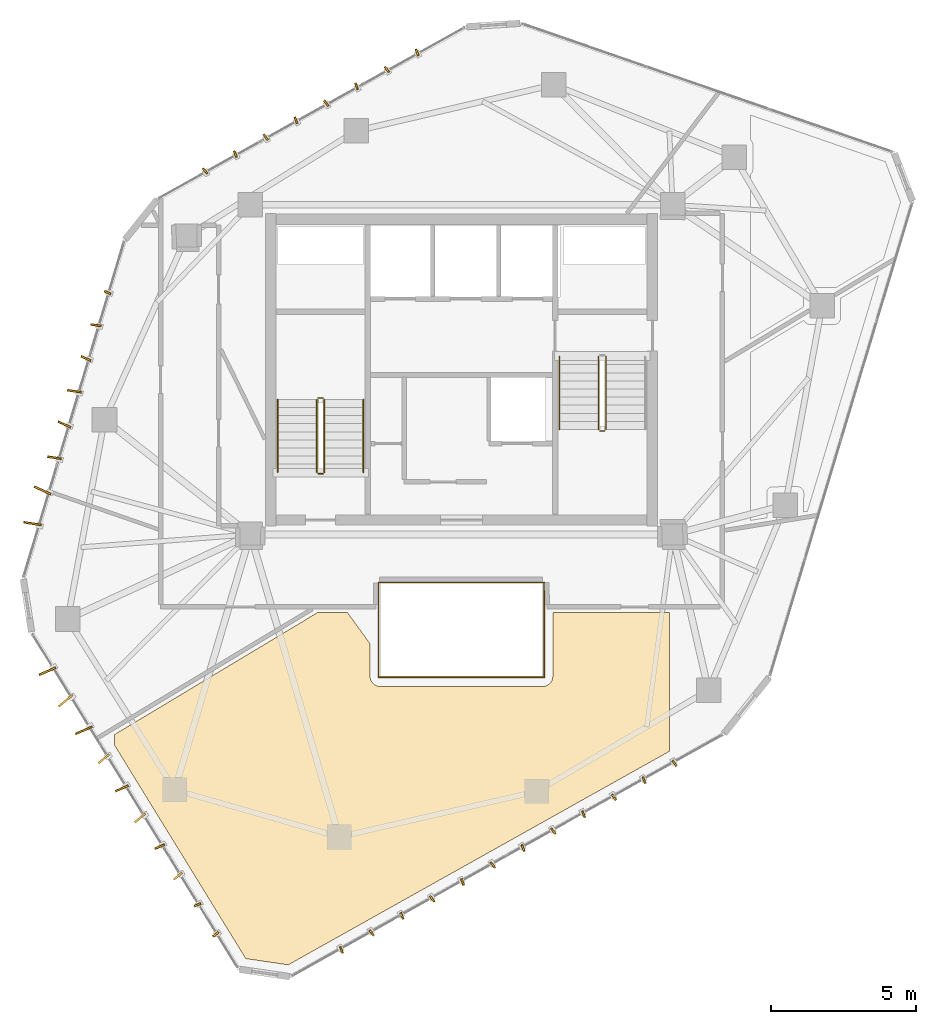
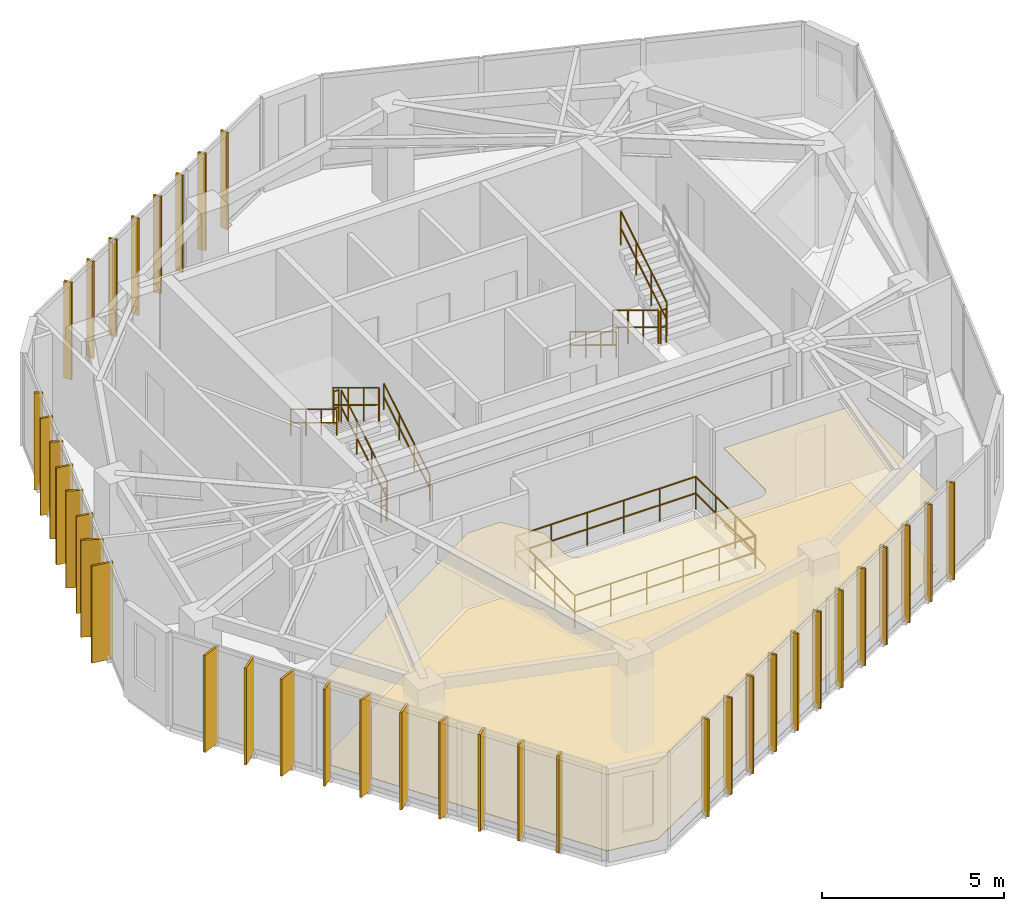
# One storey, part 19 of 20: 38 shading devices, 14 railings, 2 coverings.
"""IFC4 building model written with IfcOpenShell, lengths in metres."""

from ifc_helpers import new_model, si_unit, direction, frame, origin, origin_2d, place, context, subcontext, project, spatial, polyline, rectangle, circle, outline, extrude, source, transform, mapped, material, layer, layer_set, type_object, type_shapes, element, save


model = new_model("IFC4")

# Units and contexts
model_context = context("Model", 3, precision=1e-05, world=origin(), true_north=direction((0.0, 1.0)))
body_context = subcontext(model_context, "Body", "Model", "MODEL_VIEW")
ifc_project = project(units=[si_unit("LENGTHUNIT", "METRE"), si_unit("AREAUNIT", "SQUARE_METRE"), si_unit("VOLUMEUNIT", "CUBIC_METRE"), si_unit("PLANEANGLEUNIT", "RADIAN"), si_unit("MASSUNIT", "GRAM", prefix="KILO")], contexts=[model_context])

# Site, building, storey
site_placement = place(None, origin())
site = spatial("IfcSite", under=ifc_project, at=site_placement, CompositionType="ELEMENT")
building_placement = place(site_placement, origin())
building = spatial("IfcBuilding", under=site, at=building_placement, Name="Talar Marvaseh", CompositionType="ELEMENT")
storey_placement = place(building_placement, frame((0.0, 0.0, 257.800048828125)))
storey = spatial("IfcBuildingStorey", under=building, at=storey_placement, Name="L68", CompositionType="ELEMENT", Elevation=257.800048828125)

# Railings
ifc_material_1 = material(Name="Stainless Steel Grade 316", Category="steel")
railing_type_1 = type_object("IfcRailingType", Name="Brushed Stainless Wall Pitch Handrail 900", PredefinedType="HANDRAIL", material=ifc_material_1)
railing_1_placement = place(storey_placement, frame((22.610107421875, 27.64990234375, 0.169921875)))
element("IfcRailing", 1, at=railing_1_placement, inside=storey, type_object=railing_type_1, Name="L68 ST-1 stair handrail 1", PredefinedType="HANDRAIL", context=body_context, shape_type="SweptSolid", body=[
    extrude(circle(Radius=0.02392578125, at=origin_2d()), frame((0.0, 0.0, 0.8759765625), z_axis=(0.0, 0.85478489116, 0.518982456201), x_axis=(-1.0, 0.0, 0.0)), (0.0, 0.0, 1.0), 2.9482421875),
    extrude(circle(Radius=0.02392578125, at=origin_2d()), frame((0.0, 0.0, 0.42578125), z_axis=(0.0, 0.85478489116, 0.518982456201), x_axis=(-1.0, 0.0, 0.0)), (0.0, 0.0, 1.0), 2.9482421875),
    extrude(circle(Radius=0.02099609375, at=origin_2d()), origin(), (0.0, 0.0, 1.0), 0.851806640625),
    extrude(circle(Radius=0.02099609375, at=origin_2d()), frame((0.0, 0.840087890625, 0.510009765625)), (0.0, 0.0, 1.0), 0.851806640625),
    extrude(circle(Radius=0.02099609375, at=origin_2d()), frame((0.0, 1.679931640625, 1.02001953125)), (0.0, 0.0, 1.0), 0.851806640625),
    extrude(circle(Radius=0.02099609375, at=origin_2d()), frame((0.0, 2.52001953125, 1.530029296875)), (0.0, 0.0, 1.0), 0.851806640625),
])
for number, where, name in (
    (2, (19.64990234375, 30.169921875, 1.869873046875), "L68 ST-1 stair handrail 2"),
    (3, (29.389892578125, 31.64990234375, 0.169921875), "L68 ST-2 stair handrail 1"),
):
    element("IfcRailing", number, at=place(storey_placement, frame(where)), inside=storey, type_object=railing_type_1, Name=name, PredefinedType="HANDRAIL", context=body_context, shape_type="SweptSolid", body=[
        extrude(circle(Radius=0.02392578125, at=origin_2d()), frame((0.0, 0.0, 0.8759765625), z_axis=(0.0, -0.85478489116, 0.518982456201), x_axis=(1.0, 0.0, 0.0)), (0.0, 0.0, 1.0), 2.9482421875),
        extrude(circle(Radius=0.02392578125, at=origin_2d()), frame((0.0, 0.0, 0.42578125), z_axis=(0.0, -0.85478489116, 0.518982456201), x_axis=(1.0, 0.0, 0.0)), (0.0, 0.0, 1.0), 2.9482421875),
        extrude(circle(Radius=0.02099609375, at=origin_2d()), origin(), (0.0, 0.0, 1.0), 0.851806640625),
        extrude(circle(Radius=0.02099609375, at=origin_2d()), frame((0.0, -0.840087890625, 0.510009765625)), (0.0, 0.0, 1.0), 0.851806640625),
        extrude(circle(Radius=0.02099609375, at=origin_2d()), frame((0.0, -1.679931640625, 1.02001953125)), (0.0, 0.0, 1.0), 0.851806640625),
        extrude(circle(Radius=0.02099609375, at=origin_2d()), frame((0.0, -2.52001953125, 1.530029296875)), (0.0, 0.0, 1.0), 0.851806640625),
    ])
ifc_material_2 = material(Name="Tempered Clear Glass", Category="glass")
railing_type_2 = type_object("IfcRailingType", Name="Interior Atrium Edge Balustrade 1120", PredefinedType="BALUSTRADE", material=ifc_material_2)
railing_2_placement = place(storey_placement, frame((23.130615234375, 20.560302734375, 0.0)))
element("IfcRailing", 4, at=railing_2_placement, inside=storey, type_object=railing_type_2, Name="L68 Internal Daylight Atrium Balustrade 1", PredefinedType="BALUSTRADE", context=body_context, shape_type="SweptSolid", body=[
    extrude(circle(Radius=0.02392578125, at=origin_2d()), frame((0.0, 0.0, 1.09619140625), z_axis=(1.0, 0.0, 0.0), x_axis=(0.0, 1.0, 0.0)), (0.0, 0.0, 1.0), 5.73876953125),
    extrude(circle(Radius=0.02392578125, at=origin_2d()), frame((0.0, 0.0, 0.5361328125), z_axis=(1.0, 0.0, 0.0), x_axis=(0.0, 1.0, 0.0)), (0.0, 0.0, 1.0), 5.73876953125),
    extrude(circle(Radius=0.02099609375, at=origin_2d()), origin(), (0.0, 0.0, 1.0), 1.072021484375),
    extrude(circle(Radius=0.02099609375, at=origin_2d()), frame((1.147705078125, 0.0, 0.0)), (0.0, 0.0, 1.0), 1.072021484375),
    extrude(circle(Radius=0.02099609375, at=origin_2d()), frame((2.29541015625, 0.0, 0.0)), (0.0, 0.0, 1.0), 1.072021484375),
    extrude(circle(Radius=0.02099609375, at=origin_2d()), frame((3.443359375, 0.0, 0.0)), (0.0, 0.0, 1.0), 1.072021484375),
    extrude(circle(Radius=0.02099609375, at=origin_2d()), frame((4.591064453125, 0.0, 0.0)), (0.0, 0.0, 1.0), 1.072021484375),
    extrude(circle(Radius=0.02099609375, at=origin_2d()), frame((5.73876953125, 0.0, 0.0)), (0.0, 0.0, 1.0), 1.072021484375),
])
railing_3_placement = place(storey_placement, frame((28.869384765625, 20.560302734375, 0.0)))
element("IfcRailing", 5, at=railing_3_placement, inside=storey, type_object=railing_type_2, Name="L68 Internal Daylight Atrium Balustrade 2", PredefinedType="BALUSTRADE", context=body_context, shape_type="SweptSolid", body=[
    extrude(circle(Radius=0.02392578125, at=origin_2d()), frame((0.0, 0.0, 1.09619140625), z_axis=(0.0, 1.0, 0.0), x_axis=(-1.0, 0.0, 0.0)), (0.0, 0.0, 1.0), 3.279296875),
    extrude(circle(Radius=0.02392578125, at=origin_2d()), frame((0.0, 0.0, 0.5361328125), z_axis=(0.0, 1.0, 0.0), x_axis=(-1.0, 0.0, 0.0)), (0.0, 0.0, 1.0), 3.279296875),
    extrude(circle(Radius=0.02099609375, at=origin_2d()), origin(), (0.0, 0.0, 1.0), 1.072021484375),
    extrude(circle(Radius=0.02099609375, at=origin_2d()), frame((0.0, 1.093017578125, 0.0)), (0.0, 0.0, 1.0), 1.072021484375),
    extrude(circle(Radius=0.02099609375, at=origin_2d()), frame((0.0, 2.186279296875, 0.0)), (0.0, 0.0, 1.0), 1.072021484375),
    extrude(circle(Radius=0.02099609375, at=origin_2d()), frame((0.0, 3.279296875, 0.0)), (0.0, 0.0, 1.0), 1.072021484375),
])
railing_4_placement = place(storey_placement, frame((28.869384765625, 23.839599609375, 0.0)))
element("IfcRailing", 6, at=railing_4_placement, inside=storey, type_object=railing_type_2, Name="L68 Internal Daylight Atrium Balustrade 3", PredefinedType="BALUSTRADE", context=body_context, shape_type="SweptSolid", body=[
    extrude(circle(Radius=0.02392578125, at=origin_2d()), frame((0.0, 0.0, 1.09619140625), z_axis=(-1.0, 0.0, 0.0), x_axis=(0.0, -1.0, 0.0)), (0.0, 0.0, 1.0), 5.73876953125),
    extrude(circle(Radius=0.02392578125, at=origin_2d()), frame((0.0, 0.0, 0.5361328125), z_axis=(-1.0, 0.0, 0.0), x_axis=(0.0, -1.0, 0.0)), (0.0, 0.0, 1.0), 5.73876953125),
    extrude(circle(Radius=0.02099609375, at=origin_2d()), origin(), (0.0, 0.0, 1.0), 1.072021484375),
    extrude(circle(Radius=0.02099609375, at=origin_2d()), frame((-1.147705078125, 0.0, 0.0)), (0.0, 0.0, 1.0), 1.072021484375),
    extrude(circle(Radius=0.02099609375, at=origin_2d()), frame((-2.29541015625, 0.0, 0.0)), (0.0, 0.0, 1.0), 1.072021484375),
    extrude(circle(Radius=0.02099609375, at=origin_2d()), frame((-3.443359375, 0.0, 0.0)), (0.0, 0.0, 1.0), 1.072021484375),
    extrude(circle(Radius=0.02099609375, at=origin_2d()), frame((-4.591064453125, 0.0, 0.0)), (0.0, 0.0, 1.0), 1.072021484375),
    extrude(circle(Radius=0.02099609375, at=origin_2d()), frame((-5.73876953125, 0.0, 0.0)), (0.0, 0.0, 1.0), 1.072021484375),
])
railing_5_placement = place(storey_placement, frame((23.130615234375, 23.839599609375, 0.0)))
element("IfcRailing", 7, at=railing_5_placement, inside=storey, type_object=railing_type_2, Name="L68 Internal Daylight Atrium Balustrade 4", PredefinedType="BALUSTRADE", context=body_context, shape_type="SweptSolid", body=[
    extrude(circle(Radius=0.02392578125, at=origin_2d()), frame((0.0, 0.0, 1.09619140625), z_axis=(0.0, -1.0, 0.0), x_axis=(1.0, 0.0, 0.0)), (0.0, 0.0, 1.0), 3.279296875),
    extrude(circle(Radius=0.02392578125, at=origin_2d()), frame((0.0, 0.0, 0.5361328125), z_axis=(0.0, -1.0, 0.0), x_axis=(1.0, 0.0, 0.0)), (0.0, 0.0, 1.0), 3.279296875),
    extrude(circle(Radius=0.02099609375, at=origin_2d()), origin(), (0.0, 0.0, 1.0), 1.072021484375),
    extrude(circle(Radius=0.02099609375, at=origin_2d()), frame((0.0, -1.093017578125, 0.0)), (0.0, 0.0, 1.0), 1.072021484375),
    extrude(circle(Radius=0.02099609375, at=origin_2d()), frame((0.0, -2.186279296875, 0.0)), (0.0, 0.0, 1.0), 1.072021484375),
    extrude(circle(Radius=0.02099609375, at=origin_2d()), frame((0.0, -3.279296875, 0.0)), (0.0, 0.0, 1.0), 1.072021484375),
])
railing_type_3 = type_object("IfcRailingType", Name="Painted Steel Core Stair Well Guardrail 1150", PredefinedType="GUARDRAIL", material=ifc_material_1)
railing_6_placement = place(storey_placement, frame((21.260009765625, 27.64990234375, 0.169921875)))
element("IfcRailing", 8, at=railing_6_placement, inside=storey, type_object=railing_type_3, Name="L68 ST-1 stair guard 1", PredefinedType="GUARDRAIL", context=body_context, shape_type="SweptSolid", body=[
    extrude(circle(Radius=0.02392578125, at=origin_2d()), frame((0.0, 0.0, 1.1259765625), z_axis=(0.0, 0.85478489116, 0.518982456201), x_axis=(-1.0, 0.0, 0.0)), (0.0, 0.0, 1.0), 2.9482421875),
    extrude(circle(Radius=0.02392578125, at=origin_2d()), frame((0.0, 0.0, 0.55078125), z_axis=(0.0, 0.85478489116, 0.518982456201), x_axis=(-1.0, 0.0, 0.0)), (0.0, 0.0, 1.0), 2.9482421875),
    extrude(circle(Radius=0.02099609375, at=origin_2d()), origin(), (0.0, 0.0, 1.0), 1.101806640625),
    extrude(circle(Radius=0.02099609375, at=origin_2d()), frame((0.0, 0.840087890625, 0.510009765625)), (0.0, 0.0, 1.0), 1.101806640625),
    extrude(circle(Radius=0.02099609375, at=origin_2d()), frame((0.0, 1.679931640625, 1.02001953125)), (0.0, 0.0, 1.0), 1.101806640625),
    extrude(circle(Radius=0.02099609375, at=origin_2d()), frame((0.0, 2.52001953125, 1.530029296875)), (0.0, 0.0, 1.0), 1.101806640625),
])
railing_7_placement = place(storey_placement, frame((21.2099609375, 30.219970703125, 1.699951171875)))
element("IfcRailing", 9, at=railing_7_placement, inside=storey, type_object=railing_type_3, Name="L68 ST-1 stair guard 2", PredefinedType="GUARDRAIL", context=body_context, shape_type="SweptSolid", body=[
    extrude(circle(Radius=0.02392578125, at=origin_2d()), frame((0.0, 0.0, 1.1259765625), z_axis=(-1.0, 0.0, 0.0), x_axis=(0.0, -1.0, 0.0)), (0.0, 0.0, 1.0), 0.159912109375),
    extrude(circle(Radius=0.02392578125, at=origin_2d()), frame((0.0, 0.0, 0.55078125), z_axis=(-1.0, 0.0, 0.0), x_axis=(0.0, -1.0, 0.0)), (0.0, 0.0, 1.0), 0.159912109375),
    extrude(circle(Radius=0.02099609375, at=origin_2d()), origin(), (0.0, 0.0, 1.0), 1.101806640625),
    extrude(circle(Radius=0.02099609375, at=origin_2d()), frame((-0.159912109375, 0.0, 0.0)), (0.0, 0.0, 1.0), 1.101806640625),
])
railing_8_placement = place(storey_placement, frame((21.0, 30.169921875, 1.869873046875)))
element("IfcRailing", 10, at=railing_8_placement, inside=storey, type_object=railing_type_3, Name="L68 ST-1 stair guard 3", PredefinedType="GUARDRAIL", context=body_context, shape_type="SweptSolid", body=[
    extrude(circle(Radius=0.02392578125, at=origin_2d()), frame((0.0, 0.0, 1.1259765625), z_axis=(0.0, -0.85478489116, 0.518982456201), x_axis=(1.0, 0.0, 0.0)), (0.0, 0.0, 1.0), 2.9482421875),
    extrude(circle(Radius=0.02392578125, at=origin_2d()), frame((0.0, 0.0, 0.55078125), z_axis=(0.0, -0.85478489116, 0.518982456201), x_axis=(1.0, 0.0, 0.0)), (0.0, 0.0, 1.0), 2.9482421875),
    extrude(circle(Radius=0.02099609375, at=origin_2d()), origin(), (0.0, 0.0, 1.0), 1.101806640625),
    extrude(circle(Radius=0.02099609375, at=origin_2d()), frame((0.0, -0.840087890625, 0.510009765625)), (0.0, 0.0, 1.0), 1.101806640625),
    extrude(circle(Radius=0.02099609375, at=origin_2d()), frame((0.0, -1.679931640625, 1.02001953125)), (0.0, 0.0, 1.0), 1.101806640625),
    extrude(circle(Radius=0.02099609375, at=origin_2d()), frame((0.0, -2.52001953125, 1.530029296875)), (0.0, 0.0, 1.0), 1.101806640625),
])
railing_9_placement = place(storey_placement, frame((21.2099609375, 27.60009765625, 0.0)))
element("IfcRailing", 11, at=railing_9_placement, inside=storey, type_object=railing_type_3, Name="L68 ST-1 stair guard 4", PredefinedType="GUARDRAIL", context=body_context, shape_type="SweptSolid", body=[
    extrude(circle(Radius=0.02392578125, at=origin_2d()), frame((0.0, 0.0, 1.1259765625), z_axis=(-1.0, 0.0, 0.0), x_axis=(0.0, -1.0, 0.0)), (0.0, 0.0, 1.0), 0.159912109375),
    extrude(circle(Radius=0.02392578125, at=origin_2d()), frame((0.0, 0.0, 0.55078125), z_axis=(-1.0, 0.0, 0.0), x_axis=(0.0, -1.0, 0.0)), (0.0, 0.0, 1.0), 0.159912109375),
    extrude(circle(Radius=0.02099609375, at=origin_2d()), origin(), (0.0, 0.0, 1.0), 1.101806640625),
    extrude(circle(Radius=0.02099609375, at=origin_2d()), frame((-0.159912109375, 0.0, 0.0)), (0.0, 0.0, 1.0), 1.101806640625),
])
railing_10_placement = place(storey_placement, frame((30.739990234375, 31.64990234375, 0.169921875)))
element("IfcRailing", 12, at=railing_10_placement, inside=storey, type_object=railing_type_3, Name="L68 ST-2 stair guard 1", PredefinedType="GUARDRAIL", context=body_context, shape_type="SweptSolid", body=[
    extrude(circle(Radius=0.02392578125, at=origin_2d()), frame((0.0, 0.0, 1.1259765625), z_axis=(0.0, -0.85478489116, 0.518982456201), x_axis=(1.0, 0.0, 0.0)), (0.0, 0.0, 1.0), 2.9482421875),
    extrude(circle(Radius=0.02392578125, at=origin_2d()), frame((0.0, 0.0, 0.55078125), z_axis=(0.0, -0.85478489116, 0.518982456201), x_axis=(1.0, 0.0, 0.0)), (0.0, 0.0, 1.0), 2.9482421875),
    extrude(circle(Radius=0.02099609375, at=origin_2d()), origin(), (0.0, 0.0, 1.0), 1.101806640625),
    extrude(circle(Radius=0.02099609375, at=origin_2d()), frame((0.0, -0.840087890625, 0.510009765625)), (0.0, 0.0, 1.0), 1.101806640625),
    extrude(circle(Radius=0.02099609375, at=origin_2d()), frame((0.0, -1.679931640625, 1.02001953125)), (0.0, 0.0, 1.0), 1.101806640625),
    extrude(circle(Radius=0.02099609375, at=origin_2d()), frame((0.0, -2.52001953125, 1.530029296875)), (0.0, 0.0, 1.0), 1.101806640625),
])
railing_11_placement = place(storey_placement, frame((30.7900390625, 29.080078125, 1.699951171875)))
element("IfcRailing", 13, at=railing_11_placement, inside=storey, type_object=railing_type_3, Name="L68 ST-2 stair guard 2", PredefinedType="GUARDRAIL", context=body_context, shape_type="SweptSolid", body=[
    extrude(circle(Radius=0.02392578125, at=origin_2d()), frame((0.0, 0.0, 1.1259765625), z_axis=(1.0, 0.0, 0.0), x_axis=(0.0, 1.0, 0.0)), (0.0, 0.0, 1.0), 0.159912109375),
    extrude(circle(Radius=0.02392578125, at=origin_2d()), frame((0.0, 0.0, 0.55078125), z_axis=(1.0, 0.0, 0.0), x_axis=(0.0, 1.0, 0.0)), (0.0, 0.0, 1.0), 0.159912109375),
    extrude(circle(Radius=0.02099609375, at=origin_2d()), origin(), (0.0, 0.0, 1.0), 1.101806640625),
    extrude(circle(Radius=0.02099609375, at=origin_2d()), frame((0.159912109375, 0.0, 0.0)), (0.0, 0.0, 1.0), 1.101806640625),
])
railing_12_placement = place(storey_placement, frame((31.0, 29.1298828125, 1.869873046875)))
element("IfcRailing", 14, at=railing_12_placement, inside=storey, type_object=railing_type_3, Name="L68 ST-2 stair guard 3", PredefinedType="GUARDRAIL", context=body_context, shape_type="SweptSolid", body=[
    extrude(circle(Radius=0.02392578125, at=origin_2d()), frame((0.0, 0.0, 1.1259765625), z_axis=(0.0, 0.85478489116, 0.518982456201), x_axis=(-1.0, 0.0, 0.0)), (0.0, 0.0, 1.0), 2.9482421875),
    extrude(circle(Radius=0.02392578125, at=origin_2d()), frame((0.0, 0.0, 0.55078125), z_axis=(0.0, 0.85478489116, 0.518982456201), x_axis=(-1.0, 0.0, 0.0)), (0.0, 0.0, 1.0), 2.9482421875),
    extrude(circle(Radius=0.02099609375, at=origin_2d()), origin(), (0.0, 0.0, 1.0), 1.101806640625),
    extrude(circle(Radius=0.02099609375, at=origin_2d()), frame((0.0, 0.840087890625, 0.510009765625)), (0.0, 0.0, 1.0), 1.101806640625),
    extrude(circle(Radius=0.02099609375, at=origin_2d()), frame((0.0, 1.679931640625, 1.02001953125)), (0.0, 0.0, 1.0), 1.101806640625),
    extrude(circle(Radius=0.02099609375, at=origin_2d()), frame((0.0, 2.52001953125, 1.530029296875)), (0.0, 0.0, 1.0), 1.101806640625),
])

# Coverings
ifc_material_3 = material(Name="Mineral Fibre Acoustic Ceiling")
ifc_layer_1 = layer(ifc_material_3, 0.02490234375)
ifc_layer_set_1 = layer_set([ifc_layer_1], Name="Mineral Fibre Acoustic Ceiling")
covering_type_1 = type_object("IfcCoveringType", Name="Perforated Mineral Fibre Acoustic Suspended Ceiling", PredefinedType="CEILING", material=ifc_layer_set_1)
covering_1_placement = place(storey_placement, frame((0.0, 0.0, 2.56005859375)))
element("IfcCovering", 15, at=covering_1_placement, inside=storey, type_object=covering_type_1, Name="L68 Rare Books Archive Room Acoustic Ceiling", PredefinedType="CEILING", context=body_context, shape_type="SweptSolid", body=[
    extrude(outline(polyline([(22.840087890625, 21.721435546875), (22.840087890625, 20.60009765625), (22.840576171875, 20.585205078125), (22.84228515625, 20.570556640625), (22.84912109375, 20.524169921875), (22.852783203125, 20.5048828125), (22.858642578125, 20.486083984375), (22.8662109375, 20.468017578125), (22.88623046875, 20.425537109375), (22.8955078125, 20.408203125), (22.906494140625, 20.39208984375), (22.918701171875, 20.376708984375), (22.9326171875, 20.36279296875), (22.990234375, 20.310791015625), (23.00390625, 20.29931640625), (23.018310546875, 20.289306640625), (23.03369140625, 20.28076171875), (23.0498046875, 20.2734375), (23.066650390625, 20.267578125), (23.126220703125, 20.24951171875), (23.145263671875, 20.24462890625), (23.164794921875, 20.24169921875), (23.184326171875, 20.24072265625), (28.815673828125, 20.24072265625), (28.83203125, 20.241455078125), (28.848388671875, 20.243408203125), (28.8642578125, 20.246826171875), (28.909912109375, 20.25830078125), (28.92626953125, 20.26318359375), (28.9423828125, 20.269287109375), (28.957763671875, 20.277099609375), (28.972412109375, 20.285888671875), (29.0244140625, 20.320556640625), (29.04248046875, 20.33447265625), (29.05908203125, 20.35009765625), (29.07373046875, 20.36767578125), (29.101806640625, 20.405517578125), (29.112548828125, 20.421630859375), (29.121826171875, 20.439208984375), (29.12939453125, 20.457275390625), (29.145263671875, 20.50146484375), (29.151611328125, 20.523193359375), (29.155517578125, 20.5458984375), (29.156982421875, 20.568603515625), (29.15966796875, 22.800048828125), (33.199951171875, 22.800048828125), (33.199951171875, 18.00830078125), (20.01025390625, 10.619140625), (18.54248046875, 10.833984375), (14.0, 18.21875), (14.0, 18.580078125), (21.0234375, 22.800048828125), (22.0595703125, 22.800048828125), (22.840087890625, 21.721435546875)])), origin(), (0.0, 0.0, 1.0), 0.02490234375),
])
ifc_material_4 = material(Name="Porcelain Stoneware Tile", Category="masonry")
ifc_layer_2 = layer(ifc_material_4, 0.02001953125)
ifc_layer_set_2 = layer_set([ifc_layer_2], Name="Porcelain Stoneware Tile")
covering_type_2 = type_object("IfcCoveringType", Name="Polished Porcelain Stoneware Gallery Flooring", PredefinedType="FLOORING", material=ifc_layer_set_2)
covering_2_placement = place(storey_placement, origin())
element("IfcCovering", 16, at=covering_2_placement, inside=storey, type_object=covering_type_2, Name="L68 Rare Books Archive Room Flooring", PredefinedType="FLOORING", context=body_context, shape_type="SweptSolid", body=[
    extrude(outline(polyline([(22.840087890625, 21.721435546875), (22.840087890625, 20.60009765625), (22.840576171875, 20.585205078125), (22.84228515625, 20.570556640625), (22.84912109375, 20.524169921875), (22.852783203125, 20.5048828125), (22.858642578125, 20.486083984375), (22.8662109375, 20.468017578125), (22.88623046875, 20.425537109375), (22.8955078125, 20.408203125), (22.906494140625, 20.39208984375), (22.918701171875, 20.376708984375), (22.9326171875, 20.36279296875), (22.990234375, 20.310791015625), (23.00390625, 20.29931640625), (23.018310546875, 20.289306640625), (23.03369140625, 20.28076171875), (23.0498046875, 20.2734375), (23.066650390625, 20.267578125), (23.126220703125, 20.24951171875), (23.145263671875, 20.24462890625), (23.164794921875, 20.24169921875), (23.184326171875, 20.24072265625), (28.815673828125, 20.24072265625), (28.83203125, 20.241455078125), (28.848388671875, 20.243408203125), (28.8642578125, 20.246826171875), (28.909912109375, 20.25830078125), (28.92626953125, 20.26318359375), (28.9423828125, 20.269287109375), (28.957763671875, 20.277099609375), (28.972412109375, 20.285888671875), (29.0244140625, 20.320556640625), (29.04248046875, 20.33447265625), (29.05908203125, 20.35009765625), (29.07373046875, 20.36767578125), (29.101806640625, 20.405517578125), (29.112548828125, 20.421630859375), (29.121826171875, 20.439208984375), (29.12939453125, 20.457275390625), (29.145263671875, 20.50146484375), (29.151611328125, 20.523193359375), (29.155517578125, 20.5458984375), (29.156982421875, 20.568603515625), (29.15966796875, 22.800048828125), (33.199951171875, 22.800048828125), (33.199951171875, 18.00830078125), (20.01025390625, 10.619140625), (18.54248046875, 10.833984375), (14.0, 18.21875), (14.0, 18.580078125), (21.0234375, 22.800048828125), (22.0595703125, 22.800048828125), (22.840087890625, 21.721435546875)])), origin(), (0.0, 0.0, 1.0), 0.02001953125),
])

# Shading devices
ifc_material_5 = material(Name="Anodised Champagne Bronze Aluminium", Category="aluminium")
ifc_layer_3 = layer(ifc_material_5, 0.06494140625)
ifc_layer_set_3 = layer_set([ifc_layer_3], Name="Anodised Champagne Bronze Aluminium")
shading_device_type_1 = type_object("IfcShadingDeviceType", Name="Sawtooth Champagne Bronze Vertical Fin 240", PredefinedType="USERDEFINED", material=ifc_layer_set_3)
shared_shape_1 = source(origin(), body_context, "Body", "SweptSolid", [
    extrude(rectangle(XDim=0.239990234375, YDim=0.06494140625, at=origin_2d()), origin(), (0.0, 0.0, 1.0), 3.260009765625),
])
type_shapes(shading_device_type_1, [shared_shape_1])
for number, where, z_axis, x_axis, name in (
    (17, (17.504150390625, 11.672607421875, -0.1201171875), (0.0, 0.0, 1.0), (-0.770513242776, -0.637423989749, 0.0), "L68 Sawtooth Vertical Solar Fin"),
    (18, (16.87548828125, 12.69482421875, -0.1201171875), (0.0, 0.0, 1.0), (-0.916362729562, -0.400349032557, 0.0), "L68 Sawtooth Vertical Solar Fin"),
    (19, (13.762939453125, 33.86767578125, -0.1201171875), (0.0, 0.0, 1.0), (-0.9086539853, 0.41754991917, 0.0), "L68 Sawtooth Vertical Solar Fin"),
    (20, (17.134521484375, 38.068603515625, -0.1201171875), (0.0, 0.0, 1.0), (-0.604321036641, 0.796740914397, 0.0), "L68 Sawtooth Vertical Solar Fin"),
    (21, (18.182373046875, 38.65380859375, -0.1201171875), (0.0, 0.0, 1.0), (-0.361299105657, 0.932449975201, 0.0), "L68 Sawtooth Vertical Solar Fin"),
    (22, (19.22998046875, 39.239013671875, -0.1201171875), (0.0, 0.0, 1.0), (-0.604321036641, 0.796740914397, 0.0), "L68 Sawtooth Vertical Solar Fin"),
    (23, (20.277587890625, 39.823974609375, -0.1201171875), (0.0, 0.0, 1.0), (-0.361299105657, 0.932449975201, 0.0), "L68 Sawtooth Vertical Solar Fin"),
    (24, (21.325439453125, 40.4091796875, -0.1201171875), (0.0, 0.0, 1.0), (-0.604321036641, 0.796740914397, 0.0), "L68 Sawtooth Vertical Solar Fin"),
    (25, (22.373046875, 40.994140625, -0.1201171875), (0.0, 0.0, 1.0), (-0.361299105657, 0.932449975201, 0.0), "L68 Sawtooth Vertical Solar Fin"),
    (26, (23.4208984375, 41.579345703125, -0.1201171875), (0.0, 0.0, 1.0), (-0.604321036641, 0.796740914397, 0.0), "L68 Sawtooth Vertical Solar Fin"),
    (27, (24.468505859375, 42.164306640625, -0.1201171875), (0.0, 0.0, 1.0), (-0.361299105657, 0.932449975201, 0.0), "L68 Sawtooth Vertical Solar Fin"),
    (28, (33.36376953125, 17.590087890625, -0.1201171875), (0.0, 0.0, 1.0), (0.605432907381, -0.795896346681, 0.0), "L68 Sawtooth Vertical Solar Fin"),
    (29, (32.31689453125, 17.00341796875, -0.1201171875), (0.0, 0.0, 1.0), (0.362600698822, -0.931944597717, 0.0), "L68 Sawtooth Vertical Solar Fin"),
    (30, (31.27001953125, 16.4169921875, -0.1201171875), (0.0, 0.0, 1.0), (0.605432907381, -0.795896346681, 0.0), "L68 Sawtooth Vertical Solar Fin"),
    (31, (30.222900390625, 15.83056640625, -0.1201171875), (0.0, 0.0, 1.0), (0.362600698822, -0.931944597717, 0.0), "L68 Sawtooth Vertical Solar Fin"),
    (32, (29.176025390625, 15.243896484375, -0.1201171875), (0.0, 0.0, 1.0), (0.605432907381, -0.795896346681, 0.0), "L68 Sawtooth Vertical Solar Fin"),
    (33, (28.129150390625, 14.657470703125, -0.1201171875), (0.0, 0.0, 1.0), (0.362600698822, -0.931944597717, 0.0), "L68 Sawtooth Vertical Solar Fin"),
    (34, (27.082275390625, 14.071044921875, -0.1201171875), (0.0, 0.0, 1.0), (0.605432907381, -0.795896346681, 0.0), "L68 Sawtooth Vertical Solar Fin"),
    (35, (26.035400390625, 13.484619140625, -0.1201171875), (0.0, 0.0, 1.0), (0.362600698822, -0.931944597717, 0.0), "L68 Sawtooth Vertical Solar Fin"),
    (36, (24.988525390625, 12.89794921875, -0.1201171875), (0.0, 0.0, 1.0), (0.605432907381, -0.795896346681, 0.0), "L68 Sawtooth Vertical Solar Fin"),
    (37, (23.941650390625, 12.3115234375, -0.1201171875), (0.0, 0.0, 1.0), (0.362600698822, -0.931944597717, 0.0), "L68 Sawtooth Vertical Solar Fin"),
    (38, (22.894775390625, 11.72509765625, -0.1201171875), (0.0, 0.0, 1.0), (0.605432907381, -0.795896346681, 0.0), "L68 Sawtooth Vertical Solar Fin"),
    (39, (21.847900390625, 11.138427734375, -0.1201171875), (0.0, 0.0, 1.0), (0.362600698822, -0.931944597717, 0.0), "L68 Sawtooth Vertical Solar Fin"),
):
    element("IfcShadingDevice", number, at=place(storey_placement, frame(where, z_axis=z_axis, x_axis=x_axis)), inside=storey, type_object=shading_device_type_1, Name=name, ObjectType="FIN", PredefinedType="USERDEFINED", context=body_context, shape_type="MappedRepresentation", body=[
        mapped(shared_shape_1, transform((0.0, 0.0, 0.0), x_axis=(1.0, 0.0, 0.0), y_axis=(0.0, 1.0, 0.0), z_axis=(0.0, 0.0, 1.0), scale=1.0)),
    ])
ifc_layer_4 = layer(ifc_material_5, 0.06494140625)
ifc_layer_set_4 = layer_set([ifc_layer_4], Name="Anodised Champagne Bronze Aluminium")
shading_device_type_2 = type_object("IfcShadingDeviceType", Name="Sawtooth Champagne Bronze Vertical Fin 360", PredefinedType="USERDEFINED", material=ifc_layer_set_4)
shared_shape_2 = source(origin(), body_context, "Body", "SweptSolid", [
    extrude(rectangle(XDim=0.360107421875, YDim=0.06494140625, at=origin_2d()), origin(), (0.0, 0.0, 1.0), 3.260009765625),
])
type_shapes(shading_device_type_2, [shared_shape_2])
for number, where, z_axis, x_axis, name in (
    (40, (16.195556640625, 13.685546875, -0.1201171875), (0.0, 0.0, 1.0), (-0.770513242776, -0.637423989749, 0.0), "L68 Sawtooth Vertical Solar Fin"),
    (41, (15.56689453125, 14.70751953125, -0.1201171875), (0.0, 0.0, 1.0), (-0.916362729562, -0.400349032557, 0.0), "L68 Sawtooth Vertical Solar Fin"),
    (42, (13.0166015625, 31.5859375, -0.1201171875), (0.0, 0.0, 1.0), (-0.9086539853, 0.41754991917, 0.0), "L68 Sawtooth Vertical Solar Fin"),
    (43, (13.361083984375, 32.735595703125, -0.1201171875), (0.0, 0.0, 1.0), (-0.988546626572, 0.15091576158, 0.0), "L68 Sawtooth Vertical Solar Fin"),
):
    element("IfcShadingDevice", number, at=place(storey_placement, frame(where, z_axis=z_axis, x_axis=x_axis)), inside=storey, type_object=shading_device_type_2, Name=name, ObjectType="FIN", PredefinedType="USERDEFINED", context=body_context, shape_type="MappedRepresentation", body=[
        mapped(shared_shape_2, transform((0.0, 0.0, 0.0), x_axis=(1.0, 0.0, 0.0), y_axis=(0.0, 1.0, 0.0), z_axis=(0.0, 0.0, 1.0), scale=1.0)),
    ])
ifc_layer_5 = layer(ifc_material_5, 0.06494140625)
ifc_layer_set_5 = layer_set([ifc_layer_5], Name="Anodised Champagne Bronze Aluminium")
shading_device_type_3 = type_object("IfcShadingDeviceType", Name="Sawtooth Champagne Bronze Vertical Fin 480", PredefinedType="USERDEFINED", material=ifc_layer_set_5)
shared_shape_3 = source(origin(), body_context, "Body", "SweptSolid", [
    extrude(rectangle(XDim=0.47998046875, YDim=0.06494140625, at=origin_2d()), origin(), (0.0, 0.0, 1.0), 3.260009765625),
])
type_shapes(shading_device_type_3, [shared_shape_3])
for number, where, z_axis, x_axis, name in (
    (44, (14.886962890625, 15.6982421875, -0.1201171875), (0.0, 0.0, 1.0), (-0.770513242776, -0.637423989749, 0.0), "L68 Sawtooth Vertical Solar Fin"),
    (45, (14.25830078125, 16.720458984375, -0.1201171875), (0.0, 0.0, 1.0), (-0.916362729562, -0.400349032557, 0.0), "L68 Sawtooth Vertical Solar Fin"),
    (46, (13.629638671875, 17.742431640625, -0.1201171875), (0.0, 0.0, 1.0), (-0.770513242776, -0.637423989749, 0.0), "L68 Sawtooth Vertical Solar Fin"),
    (47, (11.92578125, 28.15478515625, -0.1201171875), (0.0, 0.0, 1.0), (-0.988546626572, 0.15091576158, 0.0), "L68 Sawtooth Vertical Solar Fin"),
    (48, (12.270263671875, 29.30419921875, -0.1201171875), (0.0, 0.0, 1.0), (-0.9086539853, 0.41754991917, 0.0), "L68 Sawtooth Vertical Solar Fin"),
    (49, (12.61474609375, 30.45361328125, -0.1201171875), (0.0, 0.0, 1.0), (-0.988546626572, 0.15091576158, 0.0), "L68 Sawtooth Vertical Solar Fin"),
):
    element("IfcShadingDevice", number, at=place(storey_placement, frame(where, z_axis=z_axis, x_axis=x_axis)), inside=storey, type_object=shading_device_type_3, Name=name, ObjectType="FIN", PredefinedType="USERDEFINED", context=body_context, shape_type="MappedRepresentation", body=[
        mapped(shared_shape_3, transform((0.0, 0.0, 0.0), x_axis=(1.0, 0.0, 0.0), y_axis=(0.0, 1.0, 0.0), z_axis=(0.0, 0.0, 1.0), scale=1.0)),
    ])
ifc_layer_6 = layer(ifc_material_5, 0.06494140625)
ifc_layer_set_6 = layer_set([ifc_layer_6], Name="Anodised Champagne Bronze Aluminium")
shading_device_type_4 = type_object("IfcShadingDeviceType", Name="Sawtooth Champagne Bronze Vertical Fin 620", PredefinedType="USERDEFINED", material=ifc_layer_set_6)
shared_shape_4 = source(origin(), body_context, "Body", "SweptSolid", [
    extrude(rectangle(XDim=0.6201171875, YDim=0.06494140625, at=origin_2d()), origin(), (0.0, 0.0, 1.0), 3.260009765625),
])
type_shapes(shading_device_type_4, [shared_shape_4])
for number, where, z_axis, x_axis, name in (
    (50, (12.941162109375, 18.72802734375, -0.1201171875), (0.0, 0.0, 1.0), (-0.916362729562, -0.400349032557, 0.0), "L68 Sawtooth Vertical Solar Fin"),
    (51, (12.3125, 19.75, -0.1201171875), (0.0, 0.0, 1.0), (-0.770513242776, -0.637423989749, 0.0), "L68 Sawtooth Vertical Solar Fin"),
    (52, (11.683837890625, 20.772216796875, -0.1201171875), (0.0, 0.0, 1.0), (-0.916362729562, -0.400349032557, 0.0), "L68 Sawtooth Vertical Solar Fin"),
    (53, (11.169677734375, 25.875732421875, -0.1201171875), (0.0, 0.0, 1.0), (-0.988546626572, 0.15091576158, 0.0), "L68 Sawtooth Vertical Solar Fin"),
    (54, (11.51416015625, 27.025390625, -0.1201171875), (0.0, 0.0, 1.0), (-0.9086539853, 0.41754991917, 0.0), "L68 Sawtooth Vertical Solar Fin"),
):
    element("IfcShadingDevice", number, at=place(storey_placement, frame(where, z_axis=z_axis, x_axis=x_axis)), inside=storey, type_object=shading_device_type_4, Name=name, ObjectType="FIN", PredefinedType="USERDEFINED", context=body_context, shape_type="MappedRepresentation", body=[
        mapped(shared_shape_4, transform((0.0, 0.0, 0.0), x_axis=(1.0, 0.0, 0.0), y_axis=(0.0, 1.0, 0.0), z_axis=(0.0, 0.0, 1.0), scale=1.0)),
    ])

save(model, "model.ifc")
